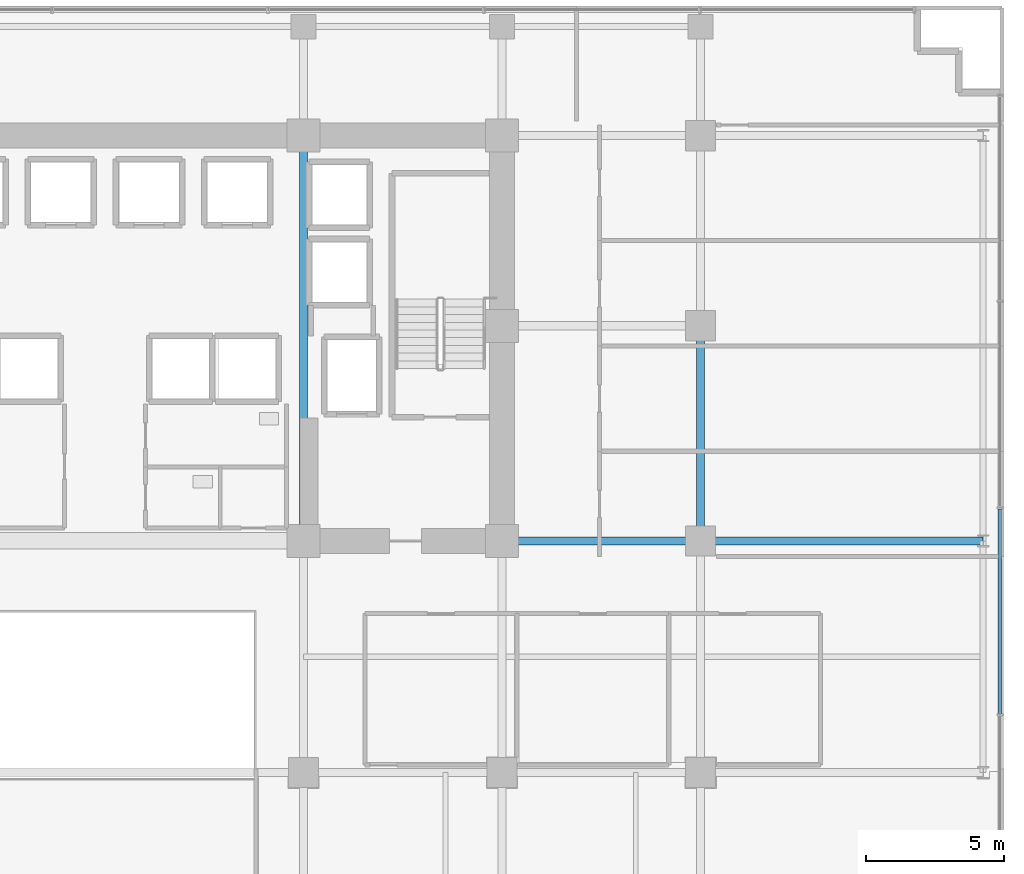
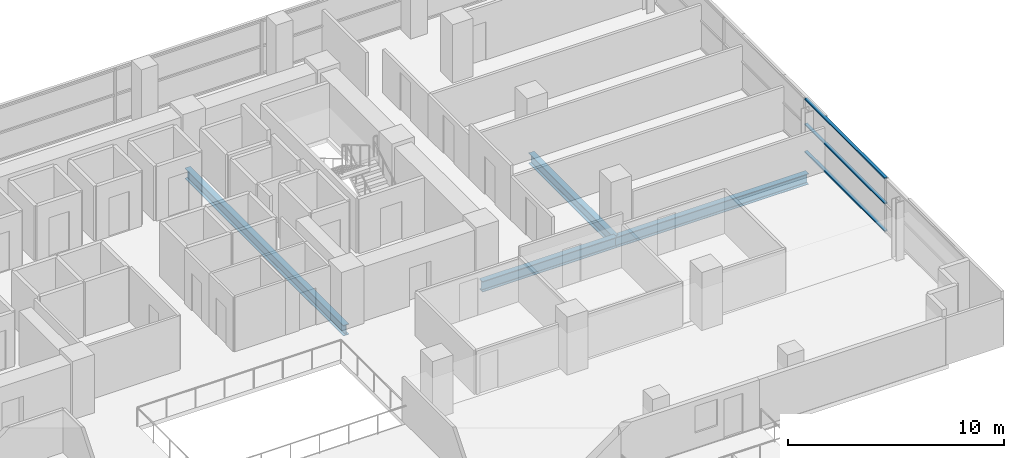
# One storey, part 14 of 32: 4 beams, 3 members, 1 element without a shape of its own.
"""IFC4 building model written with IfcOpenShell, lengths in metres."""

from ifc_helpers import new_model, si_unit, direction, frame, origin, origin_2d, place, context, subcontext, project, spatial, hollow_rectangle, i_section, extrude, source, transform, mapped, material, layer, layer_set, material_profile, profile_set, type_object, element, aggregate, save


model = new_model("IFC4")

# Units and contexts
model_context = context("Model", 3, precision=1e-05, world=origin(), true_north=direction((0.0, 1.0)))
body_context = subcontext(model_context, "Body", "Model", "MODEL_VIEW")
ifc_project = project(units=[si_unit("LENGTHUNIT", "METRE"), si_unit("AREAUNIT", "SQUARE_METRE"), si_unit("VOLUMEUNIT", "CUBIC_METRE"), si_unit("PLANEANGLEUNIT", "RADIAN"), si_unit("MASSUNIT", "GRAM", prefix="KILO")], contexts=[model_context])

# Site, building, storey
site_placement = place(None, origin())
site = spatial("IfcSite", under=ifc_project, at=site_placement, CompositionType="ELEMENT")
building_placement = place(site_placement, origin())
building = spatial("IfcBuilding", under=site, at=building_placement, Name="Zarnakvel Exchange Tower", CompositionType="ELEMENT")
storey_placement = place(building_placement, frame((0.0, 0.0, 73.60009765625)))
storey = spatial("IfcBuildingStorey", under=building, at=storey_placement, Name="L20", CompositionType="ELEMENT", Elevation=73.60009765625)

# Beams
ifc_material_1 = material(Name="Steel S355", Category="steel")
ifc_material_profile_1 = material_profile(ifc_material_1, i_section(OverallWidth=0.300048828125, OverallDepth=0.60009765625, WebThickness=0.015380859375, FlangeThickness=0.030029296875, FilletRadius=0.027099609375, at=origin_2d()))
ifc_profile_set_1 = profile_set([ifc_material_profile_1], Name="Steel S355")
beam_type = type_object("IfcBeamType", Name="G-04", PredefinedType="BEAM", material=ifc_profile_set_1)
beam_1_placement = place(storey_placement, frame((14.39990234375, -1.199951171875, -0.525146484375), z_axis=(1.0, 0.0, 0.0), x_axis=(0.0, 1.0, 0.0)))
element("IfcBeam", 1, at=beam_1_placement, inside=storey, type_object=beam_type, Name="L20 Tower E-W Frame Beam", PredefinedType="BEAM", context=body_context, shape_type="SweptSolid", body=[
    extrude(i_section(OverallWidth=0.300048828125, OverallDepth=0.60009765625, WebThickness=0.015380859375, FlangeThickness=0.030029296875, FilletRadius=0.027099609375, at=origin_2d()), origin(), (0.0, 0.0, 1.0), 7.2001953125),
])
beam_2_placement = place(storey_placement, frame((21.60009765625, -1.199951171875, -0.525146484375), z_axis=(1.0, 0.0, 0.0), x_axis=(0.0, 1.0, 0.0)))
element("IfcBeam", 2, at=beam_2_placement, inside=storey, type_object=beam_type, Name="L20 Tower E-W Frame Beam", PredefinedType="BEAM", context=body_context, shape_type="SweptSolid", body=[
    extrude(i_section(OverallWidth=0.300048828125, OverallDepth=0.60009765625, WebThickness=0.015380859375, FlangeThickness=0.030029296875, FilletRadius=0.027099609375, at=origin_2d()), origin(), (0.0, 0.0, 1.0), 10.25),
])
beam_3_placement = place(storey_placement, frame((7.199951171875, -1.199951171875, -0.525146484375), z_axis=(0.0, 1.0, 0.0), x_axis=(-1.0, 0.0, 0.0)))
element("IfcBeam", 3, at=beam_3_placement, inside=storey, type_object=beam_type, Name="L20 Tower N-S Frame Beam", PredefinedType="BEAM", context=body_context, shape_type="SweptSolid", body=[
    extrude(i_section(OverallWidth=0.300048828125, OverallDepth=0.60009765625, WebThickness=0.015380859375, FlangeThickness=0.030029296875, FilletRadius=0.027099609375, at=origin_2d()), origin(), (0.0, 0.0, 1.0), 14.699951171875),
])
beam_4_placement = place(storey_placement, frame((21.60009765625, -1.199951171875, -0.525146484375), z_axis=(0.0, 1.0, 0.0), x_axis=(-1.0, 0.0, 0.0)))
element("IfcBeam", 4, at=beam_4_placement, inside=storey, type_object=beam_type, Name="L20 Tower N-S Frame Beam", PredefinedType="BEAM", context=body_context, shape_type="SweptSolid", body=[
    extrude(i_section(OverallWidth=0.300048828125, OverallDepth=0.60009765625, WebThickness=0.015380859375, FlangeThickness=0.030029296875, FilletRadius=0.027099609375, at=origin_2d()), origin(), (0.0, 0.0, 1.0), 7.800048828125),
])

# Curtain wall, members
ifc_material_2 = material(Name="Architectural Bronze Anodised Aluminium", Category="aluminium")
ifc_layer = layer(ifc_material_2, 0.199951171875)
ifc_layer_set = layer_set([ifc_layer], Name="Architectural Bronze Anodised Aluminium")
curtain_wall_type = type_object("IfcCurtainWallType", Name="CW-04", PredefinedType="NOTDEFINED", material=ifc_layer_set)
curtain_wall_placement = place(storey_placement, origin())
curtain_wall = element("IfcCurtainWall", 5, at=curtain_wall_placement, inside=storey, type_object=curtain_wall_type, Name="L20 Curtain Wall CW-L20-E1 (CW-04)", PredefinedType="NOTDEFINED")
ifc_material_profile_2 = material_profile(ifc_material_2, hollow_rectangle(XDim=0.159912109375, YDim=0.074951171875, WallThickness=0.00390625, at=origin_2d()))
ifc_profile_set_2 = profile_set([ifc_material_profile_2], Name="Architectural Bronze Anodised Aluminium")
member_type = type_object("IfcMemberType", Name="CWT-04", PredefinedType="USERDEFINED", material=ifc_profile_set_2)
shared_shape = source(origin(), body_context, "Body", "SweptSolid", [
    extrude(hollow_rectangle(XDim=0.159912109375, YDim=0.074951171875, WallThickness=0.00390625, at=origin_2d()), origin(), (0.0, 0.0, 1.0), 7.4248046875),
])
member_1_placement = place(storey_placement, frame((32.4599609375, -7.46240234375, 0.037353515625), z_axis=(0.0, 1.0, 0.0), x_axis=(-1.0, 0.0, 0.0)))
member_1 = element("IfcMember", 6, at=member_1_placement, type_object=member_type, Name="CW-04 transom 2.1", ObjectType="TRANSOM", PredefinedType="USERDEFINED", context=body_context, shape_type="MappedRepresentation", body=[
    mapped(shared_shape, transform((0.0, 0.0, 0.0), x_axis=(1.0, 0.0, 0.0), y_axis=(0.0, 1.0, 0.0), z_axis=(0.0, 0.0, 1.0), scale=1.0)),
])
member_2_placement = place(storey_placement, frame((32.4599609375, -7.46240234375, 1.588623046875), z_axis=(0.0, 1.0, 0.0), x_axis=(-1.0, 0.0, 0.0)))
member_2 = element("IfcMember", 7, at=member_2_placement, type_object=member_type, Name="CW-04 transom 2.2", ObjectType="TRANSOM", PredefinedType="USERDEFINED", context=body_context, shape_type="MappedRepresentation", body=[
    mapped(shared_shape, transform((0.0, 0.0, 0.0), x_axis=(1.0, 0.0, 0.0), y_axis=(0.0, 1.0, 0.0), z_axis=(0.0, 0.0, 1.0), scale=1.0)),
])
member_3_placement = place(storey_placement, frame((32.4599609375, -7.46240234375, 3.017333984375), z_axis=(0.0, 1.0, 0.0), x_axis=(-1.0, 0.0, 0.0)))
member_3 = element("IfcMember", 8, at=member_3_placement, type_object=member_type, Name="CW-04 transom 2.3", ObjectType="TRANSOM", PredefinedType="USERDEFINED", context=body_context, shape_type="MappedRepresentation", body=[
    mapped(shared_shape, transform((0.0, 0.0, 0.0), x_axis=(1.0, 0.0, 0.0), y_axis=(0.0, 1.0, 0.0), z_axis=(0.0, 0.0, 1.0), scale=1.0)),
])
aggregate(curtain_wall, [member_1, member_2, member_3])

save(model, "model.ifc")
